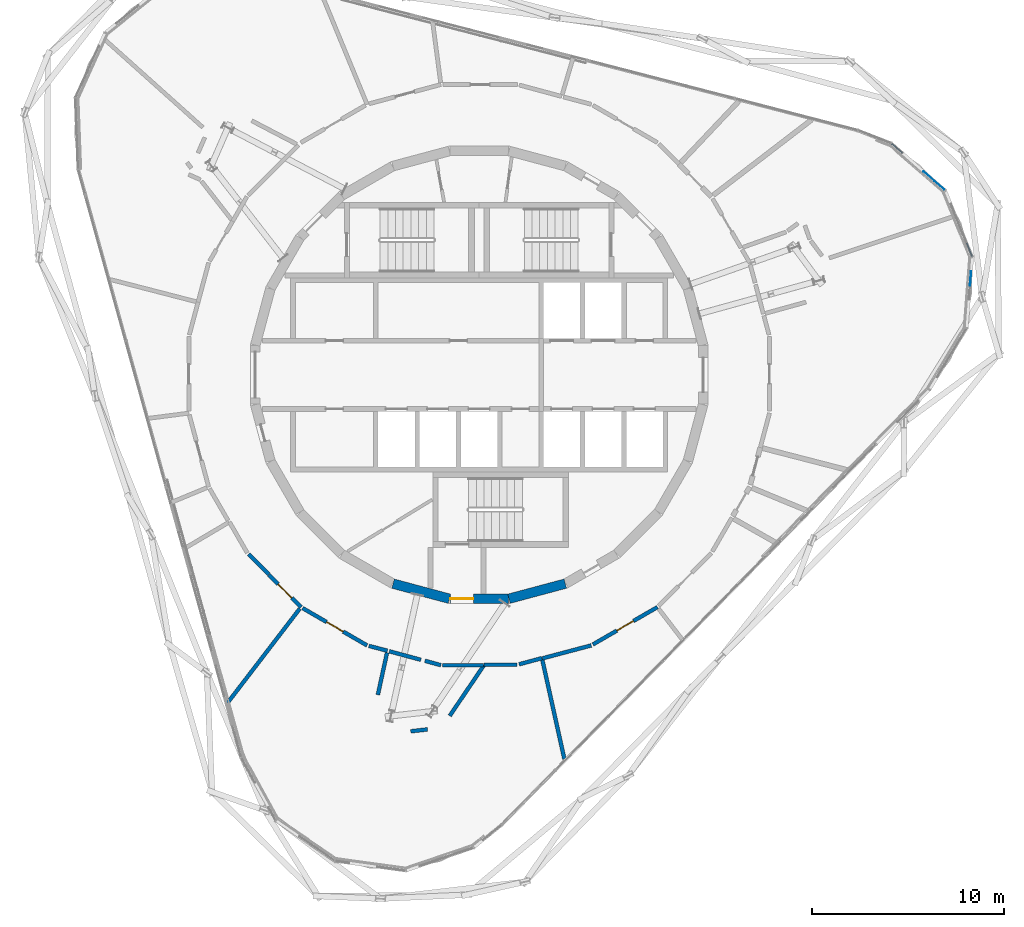
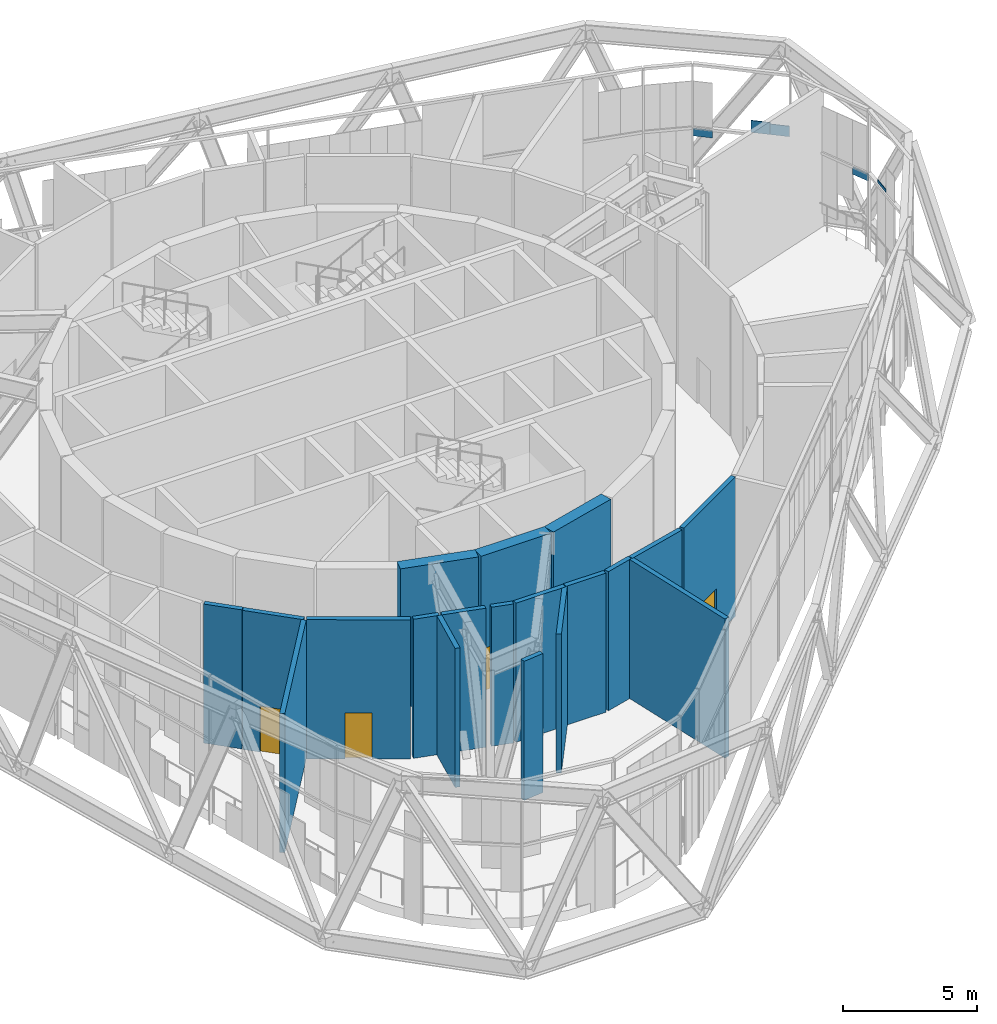
# One storey, part 17 of 23: 19 walls, 5 plates, 4 doors, 4 openings, 1 element without a shape of its own.
"""IFC4 building model written with IfcOpenShell, lengths in metres."""

import ifcopenshell
import ifcopenshell.guid

model = None  # the IFC model being written
_history = None  # IfcOwnerHistory: only IFC2X3 demands one
_inside = {}  # id of a spatial element -> (the spatial element, [elements in it])
_under = {}  # id of a project, library or spatial element -> (it, [spatial elements below it])
_declared = {}  # id of a project -> (the project, [libraries it declares])
_typed = {}  # id of a type object -> (the type object, [elements of that type])
_made_of = {}  # id of a material, layer set ... -> (it, [elements and type objects made of it])


def new_model(schema):
    """Start an empty IFC model of exactly this schema.

    Asked for "IFC4X3", IfcOpenShell would pick the latest addendum, in which some entities
    have other attributes; the version numbers below select the first issue.
    IFC2X3 requires an IfcOwnerHistory on every rooted entity: one is made here for all.
    """
    global model, _history
    if schema == "IFC4X3":
        model = ifcopenshell.file(schema_version=(4, 3, 0, 0))
    else:
        model = ifcopenshell.file(schema=schema)
    _inside.clear()
    _under.clear()
    _declared.clear()
    _typed.clear()
    _made_of.clear()
    _history = None
    if model.schema == "IFC2X3":
        org = make("IfcOrganization", Name="unknown")
        user = make(
            "IfcPersonAndOrganization",
            ThePerson=make("IfcPerson", FamilyName="unknown"),
            TheOrganization=org,
        )
        app = make(
            "IfcApplication",
            ApplicationDeveloper=org,
            Version="unknown",
            ApplicationFullName="unknown",
            ApplicationIdentifier="unknown",
        )
        _history = make(
            "IfcOwnerHistory",
            OwningUser=user,
            OwningApplication=app,
            ChangeAction="ADDED",
            CreationDate=0,
        )
    return model


def make(cls, **values):
    """One entity of the class cls with the attributes given. An attribute that is None is left unset."""
    return model.create_entity(
        cls, **{name: value for name, value in values.items() if value is not None}
    )


def rooted(cls, **values):
    """An entity with a GlobalId (a new one), such as an element, a storey or a relation."""
    return make(cls, GlobalId=ifcopenshell.guid.new(), OwnerHistory=_history, **values)


def si_unit(unit_type, name, prefix=None):
    """IfcSIUnit, for example si_unit("LENGTHUNIT", "METRE", prefix="MILLI")."""
    return make("IfcSIUnit", UnitType=unit_type, Prefix=prefix, Name=name)


def assignment(units):
    """IfcUnitAssignment: the units of a project."""
    return None if units is None else make("IfcUnitAssignment", Units=units)


def point(xyz):
    """IfcCartesianPoint."""
    return None if xyz is None else make("IfcCartesianPoint", Coordinates=xyz)


def direction(xyz):
    """IfcDirection."""
    return None if xyz is None else make("IfcDirection", DirectionRatios=xyz)


def frame(location, z_axis=None, x_axis=None):
    """IfcAxis2Placement3D, a coordinate frame: its origin and axes. An axis left out is left unset."""
    return make(
        "IfcAxis2Placement3D",
        Location=point(location),
        Axis=direction(z_axis),
        RefDirection=direction(x_axis),
    )


def frame_2d(location, x_axis=None):
    """IfcAxis2Placement2D, a coordinate frame in the plane: its origin and x axis."""
    return make(
        "IfcAxis2Placement2D", Location=point(location), RefDirection=direction(x_axis)
    )


def origin():
    """The frame at (0, 0, 0) with its axes left unset."""
    return frame((0.0, 0.0, 0.0))


def origin_2d():
    """The frame at (0, 0) in the plane with its x axis left unset."""
    return frame_2d((0.0, 0.0))


def place(relative_to, where):
    """IfcLocalPlacement: puts the frame where relative to a parent placement (None: the world)."""
    return make(
        "IfcLocalPlacement", PlacementRelTo=relative_to, RelativePlacement=where
    )


def context(
    kind, dimensions, precision=None, world=None, true_north=None, identifier=None
):
    """IfcGeometricRepresentationContext, for example the 3D "Model" context."""
    return make(
        "IfcGeometricRepresentationContext",
        ContextIdentifier=identifier,
        ContextType=kind,
        CoordinateSpaceDimension=dimensions,
        Precision=precision,
        WorldCoordinateSystem=world,
        TrueNorth=true_north,
    )


def subcontext(parent, identifier, kind, view, scale=None):
    """IfcGeometricRepresentationSubContext, for example "Body" below "Model"."""
    return make(
        "IfcGeometricRepresentationSubContext",
        ContextIdentifier=identifier,
        ContextType=kind,
        ParentContext=parent,
        TargetScale=scale,
        TargetView=view,
    )


def project(units=None, contexts=None):
    """IfcProject with its units and contexts."""
    return rooted(
        "IfcProject",
        Name="project",
        RepresentationContexts=contexts,
        UnitsInContext=assignment(units),
    )


def spatial(cls, under=None, at=None, **own):
    """A site, building, storey or space (cls), placed at a placement, below another one or the project."""
    s = rooted(cls, ObjectPlacement=at, **own)
    if under is not None:
        _under.setdefault(under.id(), (under, []))[1].append(s)
    return s


def profile(cls, at=None, kind="AREA", **sizes):
    """A parametric profile (cls). Its sizes go by their IFC names, for example OverallWidth=200.0."""
    return make(cls, ProfileType=kind, Position=at, **sizes)


def rectangle(**sizes):
    """IfcRectangleProfileDef."""
    return profile("IfcRectangleProfileDef", **sizes)


def extrude(swept, where, along, depth):
    """IfcExtrudedAreaSolid: the profile swept, set in the frame where, extruded along a direction by depth."""
    return make(
        "IfcExtrudedAreaSolid",
        SweptArea=swept,
        Position=where,
        ExtrudedDirection=direction(along),
        Depth=depth,
    )


def shape(context_of_items, identifier, shape_type, items):
    """IfcShapeRepresentation: the items that make up one representation, for example the "Body"."""
    return make(
        "IfcShapeRepresentation",
        ContextOfItems=context_of_items,
        RepresentationIdentifier=identifier,
        RepresentationType=shape_type,
        Items=items,
    )


def material(Name=None, Category=None):
    """IfcMaterial."""
    return make("IfcMaterial", Name=Name, Category=Category)


def layer(
    of_material, thickness, ventilated=None, Name=None, Category=None, Priority=None
):
    """IfcMaterialLayer: one layer of a wall or slab, of a material (None: an air gap)."""
    return make(
        "IfcMaterialLayer",
        Material=of_material,
        LayerThickness=thickness,
        IsVentilated=ventilated,
        Name=Name,
        Category=Category,
        Priority=Priority,
    )


def layer_set(layers, Name=None):
    """IfcMaterialLayerSet."""
    return make("IfcMaterialLayerSet", MaterialLayers=layers, LayerSetName=Name)


def made_of(thing, what):
    """Note that an element or type object is made of a material, layer set ...; save() writes the relation."""
    if what is not None:
        _made_of.setdefault(what.id(), (what, []))[1].append(thing)
    return thing


def type_object(cls, material=None, **own):
    """A type object (cls), such as IfcWallType, which elements share."""
    return made_of(rooted(cls, **own), material)


def element(
    cls,
    number,
    at=None,
    inside=None,
    cuts=None,
    type_object=None,
    material=None,
    context=None,
    identifier="Body",
    shape_type=None,
    held_by="IfcProductDefinitionShape",
    body=None,
    shapes=None,
    **own,
):
    """One element of the class cls, such as IfcWall. Its Tag is "e" and its number.

    at: its placement. inside: the storey or other place that contains it. cuts: it is an
    opening in that element (IfcRelVoidsElement). A single representation is given by context,
    identifier, shape_type and body (its items); several are given by shapes. held_by: the class
    of the entity that holds the representations. save() writes the other relations.
    """
    e = rooted(cls, Tag="e%d" % number, ObjectPlacement=at, **own)
    if body is not None:
        shapes = [shape(context, identifier, shape_type, body)]
    if shapes is not None:
        e.Representation = make(held_by, Representations=shapes)
    if inside is not None:
        _inside.setdefault(inside.id(), (inside, []))[1].append(e)
    if cuts is not None:
        rooted(
            "IfcRelVoidsElement", RelatingBuildingElement=cuts, RelatedOpeningElement=e
        )
    if type_object is not None:
        _typed.setdefault(type_object.id(), (type_object, []))[1].append(e)
    return made_of(e, material)


def fill(opening, filler):
    """IfcRelFillsElement: the door or window that sits in an opening."""
    return rooted(
        "IfcRelFillsElement",
        RelatingOpeningElement=opening,
        RelatedBuildingElement=filler,
    )


def aggregate(whole, parts):
    """IfcRelAggregates: a whole, such as a stair, and the parts it consists of."""
    return rooted("IfcRelAggregates", RelatingObject=whole, RelatedObjects=parts)


def save(model, path):
    """Write the relations noted so far, then the file.

    IfcRelAggregates (storeys below a building ...), IfcRelContainedInSpatialStructure (elements
    in a storey), IfcRelDefinesByType, IfcRelAssociatesMaterial and IfcRelDeclares: one each for
    every whole, place, type object, material and project.
    """
    for whole, parts in _under.values():
        aggregate(whole, parts)
    for where, things in _inside.values():
        rooted(
            "IfcRelContainedInSpatialStructure",
            RelatedElements=things,
            RelatingStructure=where,
        )
    for kind, things in _typed.values():
        rooted("IfcRelDefinesByType", RelatedObjects=things, RelatingType=kind)
    for what, things in _made_of.values():
        rooted("IfcRelAssociatesMaterial", RelatedObjects=things, RelatingMaterial=what)
    for by, libraries in _declared.values():
        rooted("IfcRelDeclares", RelatingContext=by, RelatedDefinitions=libraries)
    model.write(path)


model = new_model("IFC4")

# Units and contexts
model_context = context("Model", 3, precision=1e-05, world=origin(), true_north=direction((0.0, 1.0)))
body_context = subcontext(model_context, "Body", "Model", "MODEL_VIEW")
ifc_project = project(units=[si_unit("LENGTHUNIT", "METRE"), si_unit("AREAUNIT", "SQUARE_METRE"), si_unit("VOLUMEUNIT", "CUBIC_METRE"), si_unit("PLANEANGLEUNIT", "RADIAN"), si_unit("MASSUNIT", "GRAM", prefix="KILO")], contexts=[model_context])

# Site, building, storey
site_placement = place(None, origin())
site = spatial("IfcSite", under=ifc_project, at=site_placement, CompositionType="ELEMENT")
building_placement = place(site_placement, origin())
building = spatial("IfcBuilding", under=site, at=building_placement, Name="Spindle Arch Residences", CompositionType="ELEMENT")
storey_placement = place(building_placement, frame((0.0, 0.0, 326.199951171875)))
storey = spatial("IfcBuildingStorey", under=building, at=storey_placement, Name="L84", CompositionType="ELEMENT", Elevation=326.199951171875)

# Curtain wall, plates
ifc_material_1 = material(Name="Aluminium bronze unitised frame with tinted glass", Category="aluminium")
ifc_layer_1 = layer(ifc_material_1, 0.159912109375)
ifc_layer_set_1 = layer_set([ifc_layer_1], Name="CW-E double-height winter garden wall")
curtain_wall_type = type_object("IfcCurtainWallType", Name="CW-E double-height winter garden wall", PredefinedType="NOTDEFINED", material=ifc_layer_set_1)
curtain_wall_placement = place(storey_placement, origin())
curtain_wall = element("IfcCurtainWall", 1, at=curtain_wall_placement, inside=storey, type_object=curtain_wall_type, Name="CW-E L84 run 1", PredefinedType="NOTDEFINED")
ifc_material_2 = material(Name="Tinted laminated glass 28 mm", Category="glass")
ifc_layer_2 = layer(ifc_material_2, 0.028076171875)
ifc_layer_set_2 = layer_set([ifc_layer_2], Name="Tinted glass panel 28 mm")
plate_type_1 = type_object("IfcPlateType", Name="Tinted glass panel 28 mm", PredefinedType="CURTAIN_PANEL", material=ifc_layer_set_2)
plate_1_placement = place(storey_placement, frame((25.55810546875, 5.012451171875, 3.4599609375), z_axis=(0.0, 0.0, 1.0), x_axis=(0.078459091935, 0.996917334032, 0.0)))
plate_1 = element("IfcPlate", 2, at=plate_1_placement, type_object=plate_type_1, Name="CW-E panel 02b.2", PredefinedType="CURTAIN_PANEL", context=body_context, shape_type="SweptSolid", body=[
    extrude(rectangle(XDim=0.7333984375, YDim=0.028076171875, at=origin_2d()), origin(), (0.0, 0.0, 1.0), 0.125),
])
plate_2_placement = place(storey_placement, frame((23.942138671875, 9.8515625, 3.460205078125), z_axis=(0.0, 0.0, 1.0), x_axis=(-0.752797991635, 0.658251611308, 0.0)))
plate_2 = element("IfcPlate", 3, at=plate_2_placement, type_object=plate_type_1, Name="CW-E panel 04b.1", PredefinedType="CURTAIN_PANEL", context=body_context, shape_type="SweptSolid", body=[
    extrude(rectangle(XDim=0.7333984375, YDim=0.028076171875, at=origin_2d()), origin(), (0.0, 0.0, 1.0), 0.4814453125),
])
plate_3_placement = place(storey_placement, frame((23.389892578125, 10.334228515625, 3.4599609375), z_axis=(0.0, 0.0, 1.0), x_axis=(-0.752797991635, 0.658251611308, 0.0)))
plate_3 = element("IfcPlate", 4, at=plate_3_placement, type_object=plate_type_1, Name="CW-E panel 04b.2", PredefinedType="CURTAIN_PANEL", context=body_context, shape_type="SweptSolid", body=[
    extrude(rectangle(XDim=0.7333984375, YDim=0.028076171875, at=origin_2d()), origin(), (0.0, 0.0, 1.0), 0.546630859375),
])
ifc_material_3 = material(Name="Tinted double glazing over aluminium faced non-combustible spandrel zone (K0)", Category="aluminium")
ifc_layer_3 = layer(ifc_material_3, 0.06005859375)
ifc_layer_set_3 = layer_set([ifc_layer_3], Name="Unitised glass panel with E 60 spandrel zone")
plate_type_2 = type_object("IfcPlateType", Name="Unitised glass panel with E 60 spandrel zone", PredefinedType="CURTAIN_PANEL", material=ifc_layer_set_3)
plate_4_placement = place(storey_placement, frame((25.4970703125, 6.50634765625, 3.038330078125), z_axis=(0.0, 0.0, 1.0), x_axis=(-0.377302072189, 0.926090247396, 0.0)))
plate_4 = element("IfcPlate", 5, at=plate_4_placement, type_object=plate_type_2, Name="CW-E panel 03a.1", PredefinedType="CURTAIN_PANEL", context=body_context, shape_type="SweptSolid", body=[
    extrude(rectangle(XDim=0.7333984375, YDim=0.06005859375, at=origin_2d()), origin(), (0.0, 0.0, 1.0), 0.3017578125),
])
plate_5_placement = place(storey_placement, frame((21.73388671875, 11.782470703125, 3.01513671875), z_axis=(0.0, 0.0, 1.0), x_axis=(-0.752797991635, 0.658251611308, 0.0)))
plate_5 = element("IfcPlate", 6, at=plate_5_placement, type_object=plate_type_2, Name="CW-E panel 04a.3", PredefinedType="CURTAIN_PANEL", context=body_context, shape_type="SweptSolid", body=[
    extrude(rectangle(XDim=0.7333984375, YDim=0.06005859375, at=origin_2d()), origin(), (0.0, 0.0, 1.0), 0.324951171875),
])
aggregate(curtain_wall, [plate_1, plate_4, plate_5, plate_2, plate_3])

# Walls
ifc_material_4 = material(Name="Concrete C50/60", Category="concrete")
ifc_layer_4 = layer(ifc_material_4, 0.5)
ifc_layer_set_4 = layer_set([ifc_layer_4], Name="Core outline wall 500")
wall_type_1 = type_object("IfcWallType", Name="Core outline wall 500", PredefinedType="SHEAR", material=ifc_layer_set_4)
for number, where, z_axis, x_axis, name in (
    (7, (1.5498046875, -11.642822265625, 0.0), (0.0, 0.0, 1.0), (0.965948410781, 0.258734743916, 0.0), "Core outline wall 1"),
    (8, (-4.479248046875, -10.858154296875, 0.0), (0.0, 0.0, 1.0), (0.965948410781, -0.258734743916, 0.0), "Core outline wall 23"),
):
    element("IfcWall", number, at=place(storey_placement, frame(where, z_axis=z_axis, x_axis=x_axis)), inside=storey, type_object=wall_type_1, Name=name, PredefinedType="SHEAR", context=body_context, shape_type="SweptSolid", body=[
        extrude(rectangle(XDim=3.03271484375, YDim=0.5, at=frame_2d((1.516357421875, 0.0))), origin(), (0.0, 0.0, 1.0), 6.35009765625),
    ])

# Wall, opening, door
wall_1_placement = place(storey_placement, frame((-1.516357421875, -11.647216796875, 0.0), z_axis=(0.0, 0.0, 1.0), x_axis=(1.0, 0.0, 0.0)))
wall_1 = element("IfcWall", 9, at=wall_1_placement, inside=storey, type_object=wall_type_1, Name="Core outline wall 24", PredefinedType="SHEAR", context=body_context, shape_type="SweptSolid", body=[
    extrude(rectangle(XDim=3.03271484375, YDim=0.5, at=frame_2d((1.516357421875, 0.0))), origin(), (0.0, 0.0, 1.0), 6.35009765625),
])
opening_1_placement = place(wall_1_placement, frame((0.016357421875, 0.0, 0.0)))
opening_1 = element("IfcOpeningElement", 10, at=opening_1_placement, cuts=wall_1, Name="Opening L84-AD03", PredefinedType="OPENING", context=body_context, shape_type="SweptSolid", body=[
    extrude(rectangle(XDim=1.199951171875, YDim=2.10009765625, at=frame_2d((0.60009765625, 1.050048828125))), frame((0.0, 0.260009765625, 0.0), z_axis=(0.0, -1.0, 0.0), x_axis=(1.0, 0.0, 0.0)), (0.0, 0.0, 1.0), 0.52001953125),
])
ifc_material_5 = material(Name="Steel, fire-resisting door", Category="steel")
door_type_1 = type_object("IfcDoorType", Name="Stair airlock door 1200x2100", OperationType="SINGLE_SWING_LEFT", PredefinedType="DOOR", material=ifc_material_5)
door_1_placement = place(opening_1_placement, origin())
door_1 = element("IfcDoor", 11, at=door_1_placement, inside=storey, type_object=door_type_1, Name="Stair airlock door L84-AD03", OperationType="SINGLE_SWING_RIGHT", OverallHeight=2.10009765625, OverallWidth=1.199951171875, PredefinedType="DOOR", context=body_context, shape_type="SweptSolid", body=[
    extrude(rectangle(XDim=1.199951171875, YDim=2.10009765625, at=frame_2d((0.60009765625, 1.050048828125))), frame((0.0, 0.02490234375, 0.0), z_axis=(0.0, -1.0, 0.0), x_axis=(1.0, 0.0, 0.0)), (0.0, 0.0, 1.0), 0.050048828125),
])
fill(opening_1, door_1)

# Wall
ifc_material_6 = material(Name="Gypsum board partition on steel studs", Category="steel")
ifc_layer_5 = layer(ifc_material_6, 0.199951171875)
ifc_layer_set_5 = layer_set([ifc_layer_5], Name="Partition EI 60 200 amenity")
wall_type_2 = type_object("IfcWallType", Name="Partition EI 60 200 amenity", PredefinedType="PARTITIONING", material=ifc_layer_set_5)
wall_2_placement = place(storey_placement, frame((-11.9892578125, -9.330810546875, 0.0), z_axis=(0.0, 0.0, 1.0), x_axis=(0.70718904595, -0.707024506851, 0.0)))
element("IfcWall", 12, at=wall_2_placement, inside=storey, type_object=wall_type_2, Name="L84-W019", PredefinedType="PARTITIONING", context=body_context, shape_type="SweptSolid", body=[
    extrude(rectangle(XDim=1.48388671875, YDim=0.199951171875, at=frame_2d((0.741943359375, 0.0))), origin(), (0.0, 0.0, 1.0), 6.35009765625),
])

# Wall, opening, door
wall_3_placement = place(storey_placement, frame((-10.93994140625, -10.409912109375, 0.0), z_axis=(0.0, 0.0, 1.0), x_axis=(0.707055093984, -0.707158464611, 0.0)))
wall_3 = element("IfcWall", 13, at=wall_3_placement, inside=storey, type_object=wall_type_2, Name="L84-W020", PredefinedType="PARTITIONING", context=body_context, shape_type="SweptSolid", body=[
    extrude(rectangle(XDim=2.36181640625, YDim=0.199951171875, at=frame_2d((1.180908203125, 0.0))), origin(), (0.0, 0.0, 1.0), 6.35009765625),
])
opening_2_placement = place(wall_3_placement, frame((0.680908203125, 0.0, 0.0)))
opening_2 = element("IfcOpeningElement", 14, at=opening_2_placement, cuts=wall_3, Name="Opening L84-D03", PredefinedType="OPENING", context=body_context, shape_type="SweptSolid", body=[
    extrude(rectangle(XDim=1.0, YDim=2.10009765625, at=frame_2d((0.5, 1.050048828125))), frame((0.0, 0.10986328125, 0.0), z_axis=(0.0, -1.0, 0.0), x_axis=(1.0, 0.0, 0.0)), (0.0, 0.0, 1.0), 0.219970703125),
])
ifc_material_7 = material(Name="Timber door leaf", Category="wood")
door_type_2 = type_object("IfcDoorType", Name="Door 1000x2100 EI 30", OperationType="SINGLE_SWING_LEFT", PredefinedType="DOOR", material=ifc_material_7)
door_2_placement = place(opening_2_placement, origin())
door_2 = element("IfcDoor", 15, at=door_2_placement, inside=storey, type_object=door_type_2, Name="L84-D03", OperationType="SINGLE_SWING_LEFT", OverallHeight=2.10009765625, OverallWidth=1.0, PredefinedType="DOOR", context=body_context, shape_type="SweptSolid", body=[
    extrude(rectangle(XDim=1.0, YDim=2.10009765625, at=frame_2d((0.5, 1.050048828125))), frame((0.0, 0.02490234375, 0.0), z_axis=(0.0, -1.0, 0.0), x_axis=(1.0, 0.0, 0.0)), (0.0, 0.0, 1.0), 0.050048828125),
])
fill(opening_2, door_2)

# Wall
wall_4_placement = place(storey_placement, frame((-9.330810546875, -12.159423828125, 0.0), z_axis=(0.0, 0.0, 1.0), x_axis=(-0.608409918623, -0.793622940017, 0.0)))
element("IfcWall", 16, at=wall_4_placement, inside=storey, type_object=wall_type_2, Name="L84-W022", PredefinedType="PARTITIONING", context=body_context, shape_type="SweptSolid", body=[
    extrude(rectangle(XDim=6.162353515625, YDim=0.199951171875, at=frame_2d((3.0810546875, 0.0))), origin(), (0.0, 0.0, 1.0), 6.35009765625),
])

# Wall, opening, door
wall_5_placement = place(storey_placement, frame((-9.183349609375, -12.130126953125, 0.0), z_axis=(0.0, 0.0, 1.0), x_axis=(0.865585884642, -0.500760497952, 0.0)))
wall_5 = element("IfcWall", 17, at=wall_5_placement, inside=storey, type_object=wall_type_2, Name="L84-W023", PredefinedType="PARTITIONING", context=body_context, shape_type="SweptSolid", body=[
    extrude(rectangle(XDim=3.8740234375, YDim=0.199951171875, at=frame_2d((1.93701171875, 0.0))), origin(), (0.0, 0.0, 1.0), 6.35009765625),
])
opening_3_placement = place(wall_5_placement, frame((1.43701171875, 0.0, 0.0)))
opening_3 = element("IfcOpeningElement", 18, at=opening_3_placement, cuts=wall_5, Name="Opening L84-D01", PredefinedType="OPENING", context=body_context, shape_type="SweptSolid", body=[
    extrude(rectangle(XDim=1.0, YDim=2.10009765625, at=frame_2d((0.5, 1.050048828125))), frame((0.0, 0.10986328125, 0.0), z_axis=(0.0, -1.0, 0.0), x_axis=(1.0, 0.0, 0.0)), (0.0, 0.0, 1.0), 0.219970703125),
])
door_3_placement = place(opening_3_placement, origin())
door_3 = element("IfcDoor", 19, at=door_3_placement, inside=storey, type_object=door_type_2, Name="L84-D01", OperationType="SINGLE_SWING_LEFT", OverallHeight=2.10009765625, OverallWidth=1.0, PredefinedType="DOOR", context=body_context, shape_type="SweptSolid", body=[
    extrude(rectangle(XDim=1.0, YDim=2.10009765625, at=frame_2d((0.5, 1.050048828125))), frame((0.0, 0.02490234375, 0.0), z_axis=(0.0, -1.0, 0.0), x_axis=(1.0, 0.0, 0.0)), (0.0, 0.0, 1.0), 0.050048828125),
])
fill(opening_3, door_3)

# Walls
wall_6_placement = place(storey_placement, frame((-5.7333984375, -14.095458984375, 0.0), z_axis=(0.0, 0.0, 1.0), x_axis=(0.966797859105, -0.255542363671, 0.0)))
element("IfcWall", 20, at=wall_6_placement, inside=storey, type_object=wall_type_2, Name="L84-W025", PredefinedType="PARTITIONING", context=body_context, shape_type="SweptSolid", body=[
    extrude(rectangle(XDim=0.99658203125, YDim=0.199951171875, at=frame_2d((0.498291015625, 0.0))), origin(), (0.0, 0.0, 1.0), 6.35009765625),
])
wall_7_placement = place(storey_placement, frame((-4.791259765625, -14.44775390625, 0.0), z_axis=(0.0, 0.0, 1.0), x_axis=(-0.212940338538, -0.97706520367, 0.0)))
element("IfcWall", 21, at=wall_7_placement, inside=storey, type_object=wall_type_2, Name="L84-W027", PredefinedType="PARTITIONING", context=body_context, shape_type="SweptSolid", body=[
    extrude(rectangle(XDim=2.24267578125, YDim=0.199951171875, at=frame_2d((1.121337890625, 0.0))), origin(), (0.0, 0.0, 1.0), 6.35009765625),
])
wall_8_placement = place(storey_placement, frame((-4.67333984375, -14.3759765625, 0.0), z_axis=(0.0, 0.0, 1.0), x_axis=(0.965370226942, -0.260883738346, 0.0)))
element("IfcWall", 22, at=wall_8_placement, inside=storey, type_object=wall_type_2, Name="L84-W028", PredefinedType="PARTITIONING", context=body_context, shape_type="SweptSolid", body=[
    extrude(rectangle(XDim=1.7021484375, YDim=0.199951171875, at=frame_2d((0.85107421875, 0.0))), origin(), (0.0, 0.0, 1.0), 6.35009765625),
])
wall_9_placement = place(storey_placement, frame((-3.560302734375, -18.53759765625, 0.0), z_axis=(0.0, 0.0, 1.0), x_axis=(0.993764176703, 0.111502291916, 0.0)))
element("IfcWall", 23, at=wall_9_placement, inside=storey, type_object=wall_type_2, Name="L84-W029", PredefinedType="PARTITIONING", context=body_context, shape_type="SweptSolid", body=[
    extrude(rectangle(XDim=0.875732421875, YDim=0.199951171875, at=frame_2d((0.43798828125, 0.0))), origin(), (0.0, 0.0, 1.0), 6.35009765625),
])
wall_10_placement = place(storey_placement, frame((-2.820068359375, -14.8701171875, 0.0), z_axis=(0.0, 0.0, 1.0), x_axis=(0.963696367777, -0.267000581896, 0.0)))
element("IfcWall", 24, at=wall_10_placement, inside=storey, type_object=wall_type_2, Name="L84-W030", PredefinedType="PARTITIONING", context=body_context, shape_type="SweptSolid", body=[
    extrude(rectangle(XDim=0.861328125, YDim=0.199951171875, at=frame_2d((0.4306640625, 0.0))), origin(), (0.0, 0.0, 1.0), 6.35009765625),
])
wall_11_placement = place(storey_placement, frame((-1.919921875, -15.10009765625, 0.0), z_axis=(0.0, 0.0, 1.0), x_axis=(1.0, 0.0, 0.0)))
element("IfcWall", 25, at=wall_11_placement, inside=storey, type_object=wall_type_2, Name="L84-W033", PredefinedType="PARTITIONING", context=body_context, shape_type="SweptSolid", body=[
    extrude(rectangle(XDim=2.14990234375, YDim=0.199951171875, at=frame_2d((1.074951171875, 0.0))), origin(), (0.0, 0.0, 1.0), 6.35009765625),
])
wall_12_placement = place(storey_placement, frame((-1.530029296875, -17.72998046875, 0.0), z_axis=(0.0, 0.0, 1.0), x_axis=(0.560523423405, 0.828138570418, 0.0)))
element("IfcWall", 26, at=wall_12_placement, inside=storey, type_object=wall_type_2, Name="L84-W034", PredefinedType="PARTITIONING", context=body_context, shape_type="SweptSolid", body=[
    extrude(rectangle(XDim=3.175537109375, YDim=0.199951171875, at=frame_2d((1.587890625, 0.0))), origin(), (0.0, 0.0, 1.0), 6.35009765625),
])
wall_13_placement = place(storey_placement, frame((0.25, -15.080078125, 0.0), z_axis=(0.0, 0.0, 1.0), x_axis=(1.0, 0.0, 0.0)))
element("IfcWall", 27, at=wall_13_placement, inside=storey, type_object=wall_type_2, Name="L84-W035", PredefinedType="PARTITIONING", context=body_context, shape_type="SweptSolid", body=[
    extrude(rectangle(XDim=1.72998046875, YDim=0.199951171875, at=frame_2d((0.864990234375, 0.0))), origin(), (0.0, 0.0, 1.0), 6.35009765625),
])
wall_14_placement = place(storey_placement, frame((2.076416015625, -15.0537109375, 0.0), z_axis=(0.0, 0.0, 1.0), x_axis=(0.965131875189, 0.261764137145, 0.0)))
element("IfcWall", 28, at=wall_14_placement, inside=storey, type_object=wall_type_2, Name="L84-W036", PredefinedType="PARTITIONING", context=body_context, shape_type="SweptSolid", body=[
    extrude(rectangle(XDim=1.23681640625, YDim=0.199951171875, at=frame_2d((0.618408203125, 0.0))), origin(), (0.0, 0.0, 1.0), 6.35009765625),
])
wall_15_placement = place(storey_placement, frame((3.2900390625, -14.74462890625, 0.0), z_axis=(0.0, 0.0, 1.0), x_axis=(0.966498090991, 0.256673800981, 0.0)))
element("IfcWall", 29, at=wall_15_placement, inside=storey, type_object=wall_type_2, Name="L84-W038", PredefinedType="PARTITIONING", context=body_context, shape_type="SweptSolid", body=[
    extrude(rectangle(XDim=2.628173828125, YDim=0.199951171875, at=frame_2d((1.31396484375, 0.0))), origin(), (0.0, 0.0, 1.0), 6.35009765625),
])
wall_16_placement = place(storey_placement, frame((4.429931640625, -19.97998046875, 0.0), z_axis=(0.0, 0.0, 1.0), x_axis=(-0.216520276076, 0.976278121258, 0.0)))
element("IfcWall", 30, at=wall_16_placement, inside=storey, type_object=wall_type_2, Name="L84-W041", PredefinedType="PARTITIONING", context=body_context, shape_type="SweptSolid", body=[
    extrude(rectangle(XDim=5.357177734375, YDim=0.199951171875, at=frame_2d((2.6787109375, 0.0))), origin(), (0.0, 0.0, 1.0), 6.35009765625),
])

# Wall, opening, door
wall_17_placement = place(storey_placement, frame((5.91650390625, -14.02001953125, 0.0), z_axis=(0.0, 0.0, 1.0), x_axis=(0.865601686425, 0.500733182901, 0.0)))
wall_17 = element("IfcWall", 31, at=wall_17_placement, inside=storey, type_object=wall_type_2, Name="L84-W042", PredefinedType="PARTITIONING", context=body_context, shape_type="SweptSolid", body=[
    extrude(rectangle(XDim=3.874267578125, YDim=0.199951171875, at=frame_2d((1.93701171875, 0.0))), origin(), (0.0, 0.0, 1.0), 6.35009765625),
])
opening_4_placement = place(wall_17_placement, frame((1.43701171875, 0.0, 0.0)))
opening_4 = element("IfcOpeningElement", 32, at=opening_4_placement, cuts=wall_17, Name="Opening L84-D02", PredefinedType="OPENING", context=body_context, shape_type="SweptSolid", body=[
    extrude(rectangle(XDim=1.0, YDim=2.10009765625, at=frame_2d((0.5, 1.050048828125))), frame((0.0, 0.10986328125, 0.0), z_axis=(0.0, -1.0, 0.0), x_axis=(1.0, 0.0, 0.0)), (0.0, 0.0, 1.0), 0.219970703125),
])
door_4_placement = place(opening_4_placement, origin())
door_4 = element("IfcDoor", 33, at=door_4_placement, inside=storey, type_object=door_type_2, Name="L84-D02", OperationType="SINGLE_SWING_LEFT", OverallHeight=2.10009765625, OverallWidth=1.0, PredefinedType="DOOR", context=body_context, shape_type="SweptSolid", body=[
    extrude(rectangle(XDim=1.0, YDim=2.10009765625, at=frame_2d((0.5, 1.050048828125))), frame((0.0, 0.02490234375, 0.0), z_axis=(0.0, -1.0, 0.0), x_axis=(1.0, 0.0, 0.0)), (0.0, 0.0, 1.0), 0.050048828125),
])
fill(opening_4, door_4)

save(model, "model.ifc")
